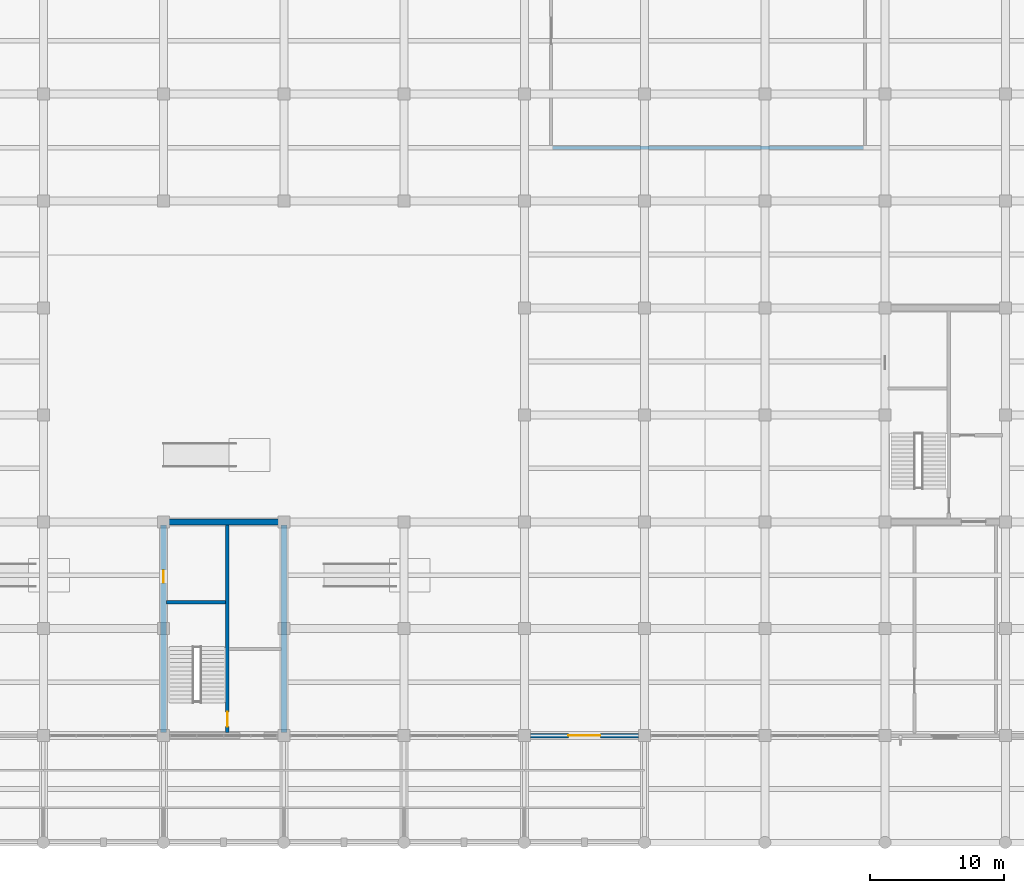
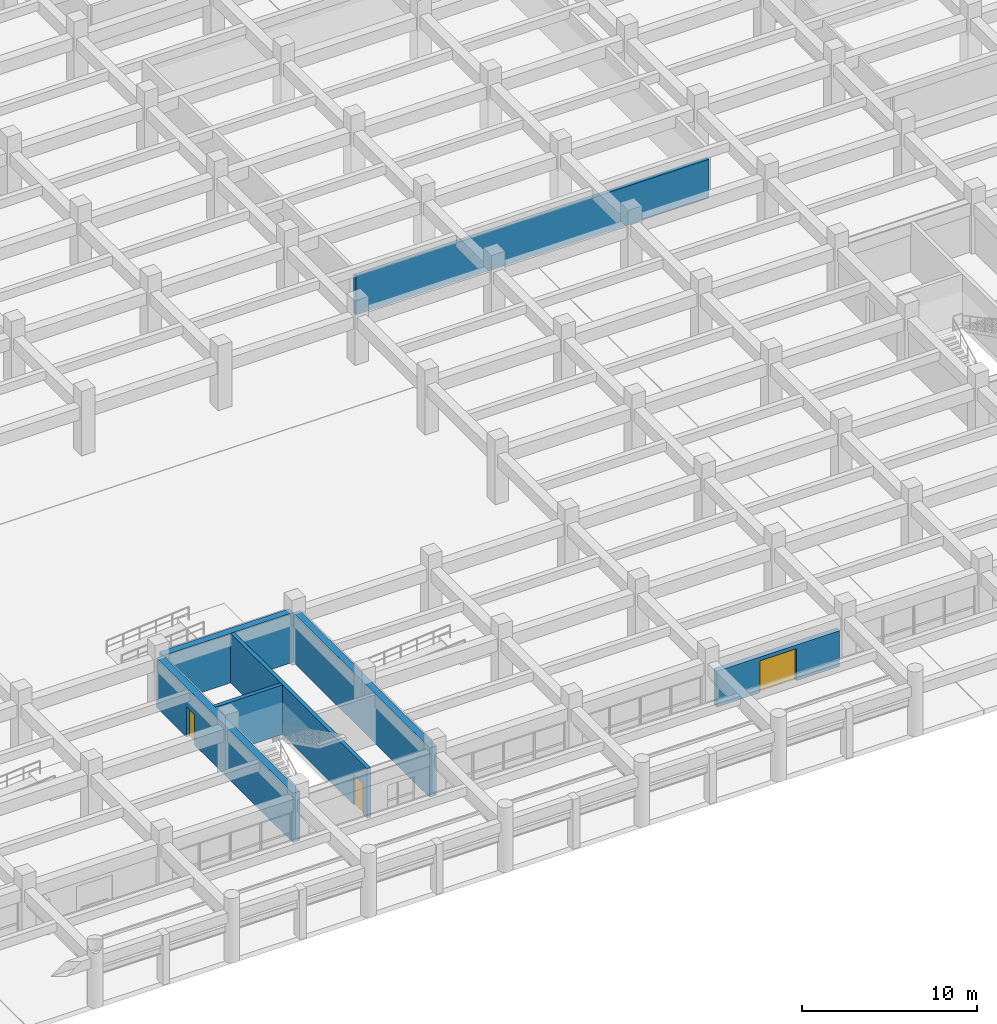
# One storey, part 23 of 40: 7 walls, 3 doors, 3 openings.
"""IFC4 building model written with IfcOpenShell, lengths in metres."""

from ifc_helpers import new_model, si_unit, direction, frame, frame_2d, origin, place, context, subcontext, project, spatial, rectangle, extrude, material, layer, layer_set, type_object, element, fill, save


model = new_model("IFC4")

# Units and contexts
model_context = context("Model", 3, precision=1e-05, world=origin(), true_north=direction((0.0, 1.0)))
body_context = subcontext(model_context, "Body", "Model", "MODEL_VIEW")
ifc_project = project(units=[si_unit("LENGTHUNIT", "METRE"), si_unit("AREAUNIT", "SQUARE_METRE"), si_unit("VOLUMEUNIT", "CUBIC_METRE"), si_unit("PLANEANGLEUNIT", "RADIAN"), si_unit("MASSUNIT", "GRAM", prefix="KILO")], contexts=[model_context])

# Site, building, storey
site_placement = place(None, origin())
site = spatial("IfcSite", under=ifc_project, at=site_placement, CompositionType="ELEMENT")
building_placement = place(site_placement, origin())
building = spatial("IfcBuilding", under=site, at=building_placement, Name="Zaverband Oceanarium and Marine Research Institute", CompositionType="ELEMENT")
storey_placement = place(building_placement, origin())
storey = spatial("IfcBuildingStorey", under=building, at=storey_placement, Name="L00", CompositionType="ELEMENT", Elevation=0.0)

# Wall
ifc_material_1 = material(Name="Concrete C50/60", Category="concrete")
ifc_layer_1 = layer(ifc_material_1, 0.449951171875, Name="Concrete C50/60")
ifc_layer_set_1 = layer_set([ifc_layer_1], Name="Concrete C50/60")
wall_type_1 = type_object("IfcWallType", Name="CW-02", PredefinedType="SHEAR", material=ifc_layer_set_1)
wall_1_placement = place(storey_placement, frame((81.22509765625, 24.0, 0.0), z_axis=(0.0, 0.0, 1.0), x_axis=(1.0, 0.0, 0.0)))
element("IfcWall", 1, at=wall_1_placement, inside=storey, type_object=wall_type_1, Name="Structural shear wall CW-02", PredefinedType="SHEAR", context=body_context, shape_type="SweptSolid", body=[
    extrude(rectangle(XDim=8.5498046875, YDim=0.449951171875, at=frame_2d((4.27490234375, 0.0))), origin(), (0.0, 0.0, 1.0), 3.449951171875),
])

# Wall, opening, door
wall_2_placement = place(storey_placement, frame((81.0, 8.22509765625, 0.0), z_axis=(0.0, 0.0, 1.0), x_axis=(0.0, 1.0, 0.0)))
wall_2 = element("IfcWall", 2, at=wall_2_placement, inside=storey, type_object=wall_type_1, Name="Structural shear wall CW-02", PredefinedType="SHEAR", context=body_context, shape_type="SweptSolid", body=[
    extrude(rectangle(XDim=15.5498046875, YDim=0.449951171875, at=frame_2d((7.77490234375, 0.0))), origin(), (0.0, 0.0, 1.0), 3.449951171875),
])
opening_1_placement = place(wall_2_placement, frame((11.199951171875, 0.0, 0.0)))
opening_1 = element("IfcOpeningElement", 3, at=opening_1_placement, cuts=wall_2, Name="Opening FD-03", PredefinedType="OPENING", context=body_context, shape_type="SweptSolid", body=[
    extrude(rectangle(XDim=0.949951171875, YDim=2.10009765625, at=frame_2d((0.47509765625, 1.050048828125))), frame((0.0, 0.23681640625, 0.0), z_axis=(0.0, -1.0, 0.0), x_axis=(1.0, 0.0, 0.0)), (0.0, 0.0, 1.0), 0.473876953125),
])
ifc_material_2 = material(Name="Steel S355", Category="steel")
door_type_1 = type_object("IfcDoorType", Name="FD-03", OperationType="NOTDEFINED", PredefinedType="DOOR", material=ifc_material_2)
door_1_placement = place(opening_1_placement, origin())
door_1 = element("IfcDoor", 4, at=door_1_placement, inside=storey, type_object=door_type_1, Name="Service riser access fire door FD-03", OperationType="SINGLE_SWING_RIGHT", OverallHeight=2.10009765625, OverallWidth=0.949951171875, PredefinedType="DOOR", context=body_context, shape_type="SweptSolid", body=[
    extrude(rectangle(XDim=0.949951171875, YDim=2.10009765625, at=frame_2d((0.47509765625, 1.050048828125))), frame((0.0, 0.02490234375, 0.0), z_axis=(0.0, -1.0, 0.0), x_axis=(1.0, 0.0, 0.0)), (0.0, 0.0, 1.0), 0.050048828125),
])
fill(opening_1, door_1)

# Wall
wall_3_placement = place(storey_placement, frame((90.0, 8.22509765625, 0.0), z_axis=(0.0, 0.0, 1.0), x_axis=(0.0, 1.0, 0.0)))
element("IfcWall", 5, at=wall_3_placement, inside=storey, type_object=wall_type_1, Name="Structural shear wall CW-02", PredefinedType="SHEAR", context=body_context, shape_type="SweptSolid", body=[
    extrude(rectangle(XDim=15.5498046875, YDim=0.449951171875, at=frame_2d((7.77490234375, 0.0))), origin(), (0.0, 0.0, 1.0), 3.449951171875),
])

# Wall, opening, door
ifc_material_3 = material(Name="Concrete C40/50 precast", Category="concrete")
ifc_layer_2 = layer(ifc_material_3, 0.340087890625, Name="Concrete C40/50 precast")
ifc_layer_set_2 = layer_set([ifc_layer_2], Name="Concrete C40/50 precast")
wall_type_2 = type_object("IfcWallType", Name="EW-340", PredefinedType="STANDARD", material=ifc_layer_set_2)
wall_4_placement = place(storey_placement, frame((108.455078125, 8.0, 0.0), z_axis=(0.0, 0.0, 1.0), x_axis=(1.0, 0.0, 0.0)))
wall_4 = element("IfcWall", 6, at=wall_4_placement, inside=storey, type_object=wall_type_2, Name="Exterior infill wall EW-340", PredefinedType="STANDARD", context=body_context, shape_type="SweptSolid", body=[
    extrude(rectangle(XDim=8.08984375, YDim=0.340087890625, at=frame_2d((4.044921875, 0.0))), origin(), (0.0, 0.0, 1.0), 2.489990234375),
])
opening_2_placement = place(wall_4_placement, frame((2.844970703125, 0.0, 0.0)))
opening_2 = element("IfcOpeningElement", 7, at=opening_2_placement, cuts=wall_4, Name="Opening ED-2400x2220", PredefinedType="OPENING", context=body_context, shape_type="SweptSolid", body=[
    extrude(rectangle(XDim=2.39990234375, YDim=2.219970703125, at=frame_2d((1.199951171875, 1.10986328125))), frame((0.0, 0.18212890625, 0.0), z_axis=(0.0, -1.0, 0.0), x_axis=(1.0, 0.0, 0.0)), (0.0, 0.0, 1.0), 0.364013671875),
])
ifc_material_4 = material(Name="Thermally broken anodized aluminium and laminated glass", Category="aluminium")
door_type_2 = type_object("IfcDoorType", Name="ED-2400x2220", OperationType="DOUBLE_DOOR_SINGLE_SWING", PredefinedType="DOOR", material=ifc_material_4)
door_2_placement = place(opening_2_placement, frame((2.39990234375, 0.0, 0.0), z_axis=(0.0, 0.0, 1.0), x_axis=(-1.0, 0.0, 0.0)))
door_2 = element("IfcDoor", 8, at=door_2_placement, inside=storey, type_object=door_type_2, Name="Main entrance E4", OperationType="DOUBLE_DOOR_SINGLE_SWING", OverallHeight=2.219970703125, OverallWidth=2.39990234375, PredefinedType="DOOR", context=body_context, shape_type="SweptSolid", body=[
    extrude(rectangle(XDim=2.39990234375, YDim=2.219970703125, at=frame_2d((1.199951171875, 1.10986328125))), frame((0.0, 0.02490234375, 0.0), z_axis=(0.0, -1.0, 0.0), x_axis=(1.0, 0.0, 0.0)), (0.0, 0.0, 1.0), 0.050048828125),
])
fill(opening_2, door_2)

# Wall
ifc_material_5 = material(Name="Masonry concrete blockwork", Category="masonry")
ifc_layer_3 = layer(ifc_material_5, 0.239990234375, Name="Masonry concrete blockwork")
ifc_layer_set_3 = layer_set([ifc_layer_3], Name="Masonry concrete blockwork")
wall_type_3 = type_object("IfcWallType", Name="PT-240-AC", PredefinedType="PARTITIONING", material=ifc_layer_set_3)
wall_5_placement = place(storey_placement, frame((110.1201171875, 52.0, 0.0), z_axis=(0.0, 0.0, 1.0), x_axis=(1.0, 0.0, 0.0)))
element("IfcWall", 9, at=wall_5_placement, inside=storey, type_object=wall_type_3, Name="Acoustic partition PT-240-AC", PredefinedType="PARTITIONING", context=body_context, shape_type="SweptSolid", body=[
    extrude(rectangle(XDim=23.259765625, YDim=0.239990234375, at=frame_2d((11.6298828125, 0.0))), origin(), (0.0, 0.0, 1.0), 2.699951171875),
])

# Wall, opening, door
ifc_layer_4 = layer(ifc_material_1, 0.25, Name="Concrete C50/60")
ifc_layer_set_4 = layer_set([ifc_layer_4], Name="Concrete C50/60")
wall_type_4 = type_object("IfcWallType", Name="PW-CORE-250", PredefinedType="SOLIDWALL", material=ifc_layer_set_4)
wall_6_placement = place(storey_placement, frame((85.77490234375, 8.22509765625, 0.0), z_axis=(0.0, 0.0, 1.0), x_axis=(0.0, 1.0, 0.0)))
wall_6 = element("IfcWall", 10, at=wall_6_placement, inside=storey, type_object=wall_type_4, Name="Structural concrete wall PW-CORE-250", PredefinedType="SOLIDWALL", context=body_context, shape_type="SweptSolid", body=[
    extrude(rectangle(XDim=15.5498046875, YDim=0.25, at=frame_2d((7.77490234375, 0.0))), origin(), (0.0, 0.0, 1.0), 3.449951171875),
])
opening_3_placement = place(wall_6_placement, frame((0.449951171875, 0.0, 0.0)))
opening_3 = element("IfcOpeningElement", 11, at=opening_3_placement, cuts=wall_6, Name="Opening FD-01", PredefinedType="OPENING", context=body_context, shape_type="SweptSolid", body=[
    extrude(rectangle(XDim=1.10009765625, YDim=2.14990234375, at=frame_2d((0.550048828125, 1.074951171875))), frame((0.0, 0.136962890625, 0.0), z_axis=(0.0, -1.0, 0.0), x_axis=(1.0, 0.0, 0.0)), (0.0, 0.0, 1.0), 0.27392578125),
])
door_type_3 = type_object("IfcDoorType", Name="FD-01", OperationType="NOTDEFINED", PredefinedType="DOOR", material=ifc_material_2)
door_3_placement = place(opening_3_placement, frame((1.10009765625, 0.0, 0.0), z_axis=(0.0, 0.0, 1.0), x_axis=(-1.0, 0.0, 0.0)))
door_3 = element("IfcDoor", 12, at=door_3_placement, inside=storey, type_object=door_type_3, Name="Core stair / lobby fire door FD-01", OperationType="SINGLE_SWING_LEFT", OverallHeight=2.14990234375, OverallWidth=1.10009765625, PredefinedType="DOOR", context=body_context, shape_type="SweptSolid", body=[
    extrude(rectangle(XDim=1.10009765625, YDim=2.14990234375, at=frame_2d((0.550048828125, 1.074951171875))), frame((0.0, 0.02490234375, 0.0), z_axis=(0.0, -1.0, 0.0), x_axis=(1.0, 0.0, 0.0)), (0.0, 0.0, 1.0), 0.050048828125),
])
fill(opening_3, door_3)

# Wall
wall_7_placement = place(storey_placement, frame((81.22509765625, 17.97509765625, 0.0), z_axis=(0.0, 0.0, 1.0), x_axis=(1.0, 0.0, 0.0)))
element("IfcWall", 13, at=wall_7_placement, inside=storey, type_object=wall_type_4, Name="Structural concrete wall PW-CORE-250", PredefinedType="SOLIDWALL", context=body_context, shape_type="SweptSolid", body=[
    extrude(rectangle(XDim=4.419921875, YDim=0.25, at=frame_2d((2.2099609375, 0.0))), origin(), (0.0, 0.0, 1.0), 3.449951171875),
])

save(model, "model.ifc")
